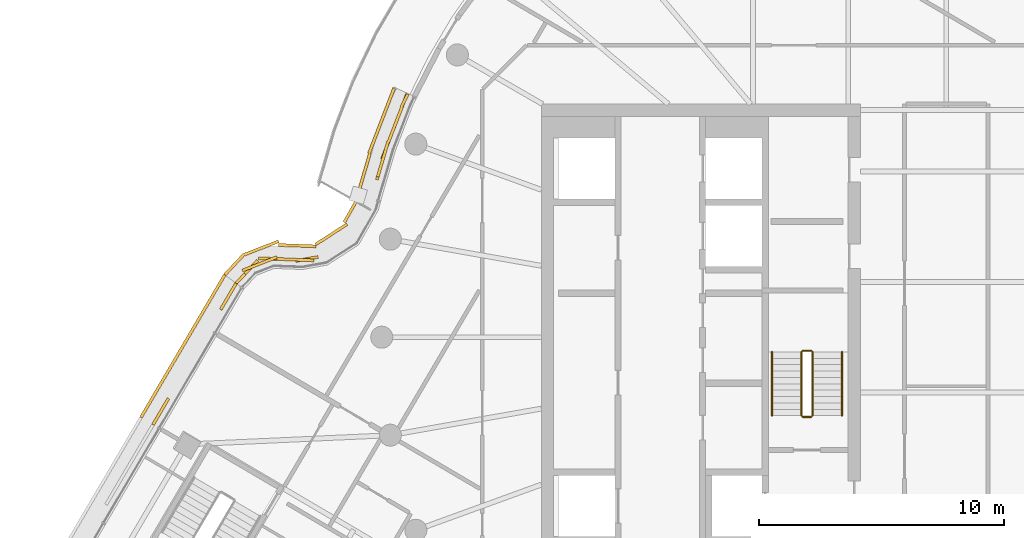
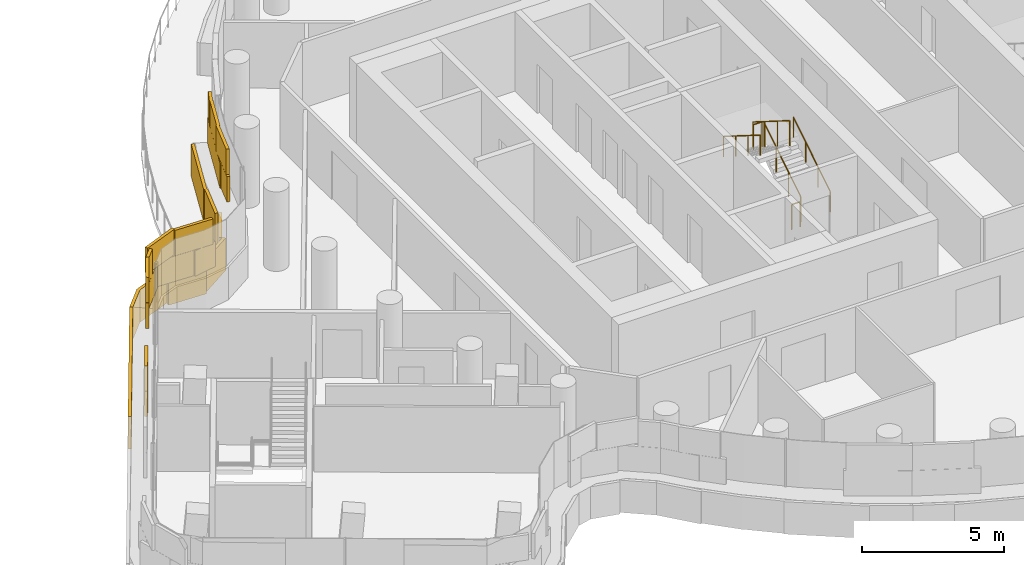
# One storey, part 22 of 26: 6 railings, 2 coverings.
"""IFC4 building model written with IfcOpenShell, lengths in metres."""

import ifcopenshell
import ifcopenshell.guid

model = None  # the IFC model being written
_history = None  # IfcOwnerHistory: only IFC2X3 demands one
_inside = {}  # id of a spatial element -> (the spatial element, [elements in it])
_under = {}  # id of a project, library or spatial element -> (it, [spatial elements below it])
_declared = {}  # id of a project -> (the project, [libraries it declares])
_typed = {}  # id of a type object -> (the type object, [elements of that type])
_made_of = {}  # id of a material, layer set ... -> (it, [elements and type objects made of it])


def new_model(schema):
    """Start an empty IFC model of exactly this schema.

    Asked for "IFC4X3", IfcOpenShell would pick the latest addendum, in which some entities
    have other attributes; the version numbers below select the first issue.
    IFC2X3 requires an IfcOwnerHistory on every rooted entity: one is made here for all.
    """
    global model, _history
    if schema == "IFC4X3":
        model = ifcopenshell.file(schema_version=(4, 3, 0, 0))
    else:
        model = ifcopenshell.file(schema=schema)
    _inside.clear()
    _under.clear()
    _declared.clear()
    _typed.clear()
    _made_of.clear()
    _history = None
    if model.schema == "IFC2X3":
        org = make("IfcOrganization", Name="unknown")
        user = make(
            "IfcPersonAndOrganization",
            ThePerson=make("IfcPerson", FamilyName="unknown"),
            TheOrganization=org,
        )
        app = make(
            "IfcApplication",
            ApplicationDeveloper=org,
            Version="unknown",
            ApplicationFullName="unknown",
            ApplicationIdentifier="unknown",
        )
        _history = make(
            "IfcOwnerHistory",
            OwningUser=user,
            OwningApplication=app,
            ChangeAction="ADDED",
            CreationDate=0,
        )
    return model


def make(cls, **values):
    """One entity of the class cls with the attributes given. An attribute that is None is left unset."""
    return model.create_entity(
        cls, **{name: value for name, value in values.items() if value is not None}
    )


def rooted(cls, **values):
    """An entity with a GlobalId (a new one), such as an element, a storey or a relation."""
    return make(cls, GlobalId=ifcopenshell.guid.new(), OwnerHistory=_history, **values)


def si_unit(unit_type, name, prefix=None):
    """IfcSIUnit, for example si_unit("LENGTHUNIT", "METRE", prefix="MILLI")."""
    return make("IfcSIUnit", UnitType=unit_type, Prefix=prefix, Name=name)


def assignment(units):
    """IfcUnitAssignment: the units of a project."""
    return None if units is None else make("IfcUnitAssignment", Units=units)


def point(xyz):
    """IfcCartesianPoint."""
    return None if xyz is None else make("IfcCartesianPoint", Coordinates=xyz)


def direction(xyz):
    """IfcDirection."""
    return None if xyz is None else make("IfcDirection", DirectionRatios=xyz)


def frame(location, z_axis=None, x_axis=None):
    """IfcAxis2Placement3D, a coordinate frame: its origin and axes. An axis left out is left unset."""
    return make(
        "IfcAxis2Placement3D",
        Location=point(location),
        Axis=direction(z_axis),
        RefDirection=direction(x_axis),
    )


def frame_2d(location, x_axis=None):
    """IfcAxis2Placement2D, a coordinate frame in the plane: its origin and x axis."""
    return make(
        "IfcAxis2Placement2D", Location=point(location), RefDirection=direction(x_axis)
    )


def origin():
    """The frame at (0, 0, 0) with its axes left unset."""
    return frame((0.0, 0.0, 0.0))


def origin_2d():
    """The frame at (0, 0) in the plane with its x axis left unset."""
    return frame_2d((0.0, 0.0))


def place(relative_to, where):
    """IfcLocalPlacement: puts the frame where relative to a parent placement (None: the world)."""
    return make(
        "IfcLocalPlacement", PlacementRelTo=relative_to, RelativePlacement=where
    )


def context(
    kind, dimensions, precision=None, world=None, true_north=None, identifier=None
):
    """IfcGeometricRepresentationContext, for example the 3D "Model" context."""
    return make(
        "IfcGeometricRepresentationContext",
        ContextIdentifier=identifier,
        ContextType=kind,
        CoordinateSpaceDimension=dimensions,
        Precision=precision,
        WorldCoordinateSystem=world,
        TrueNorth=true_north,
    )


def subcontext(parent, identifier, kind, view, scale=None):
    """IfcGeometricRepresentationSubContext, for example "Body" below "Model"."""
    return make(
        "IfcGeometricRepresentationSubContext",
        ContextIdentifier=identifier,
        ContextType=kind,
        ParentContext=parent,
        TargetScale=scale,
        TargetView=view,
    )


def project(units=None, contexts=None):
    """IfcProject with its units and contexts."""
    return rooted(
        "IfcProject",
        Name="project",
        RepresentationContexts=contexts,
        UnitsInContext=assignment(units),
    )


def spatial(cls, under=None, at=None, **own):
    """A site, building, storey or space (cls), placed at a placement, below another one or the project."""
    s = rooted(cls, ObjectPlacement=at, **own)
    if under is not None:
        _under.setdefault(under.id(), (under, []))[1].append(s)
    return s


def profile(cls, at=None, kind="AREA", **sizes):
    """A parametric profile (cls). Its sizes go by their IFC names, for example OverallWidth=200.0."""
    return make(cls, ProfileType=kind, Position=at, **sizes)


def rectangle(**sizes):
    """IfcRectangleProfileDef."""
    return profile("IfcRectangleProfileDef", **sizes)


def circle(**sizes):
    """IfcCircleProfileDef."""
    return profile("IfcCircleProfileDef", **sizes)


def extrude(swept, where, along, depth):
    """IfcExtrudedAreaSolid: the profile swept, set in the frame where, extruded along a direction by depth."""
    return make(
        "IfcExtrudedAreaSolid",
        SweptArea=swept,
        Position=where,
        ExtrudedDirection=direction(along),
        Depth=depth,
    )


def shape(context_of_items, identifier, shape_type, items):
    """IfcShapeRepresentation: the items that make up one representation, for example the "Body"."""
    return make(
        "IfcShapeRepresentation",
        ContextOfItems=context_of_items,
        RepresentationIdentifier=identifier,
        RepresentationType=shape_type,
        Items=items,
    )


def material(Name=None, Category=None):
    """IfcMaterial."""
    return make("IfcMaterial", Name=Name, Category=Category)


def layer(
    of_material, thickness, ventilated=None, Name=None, Category=None, Priority=None
):
    """IfcMaterialLayer: one layer of a wall or slab, of a material (None: an air gap)."""
    return make(
        "IfcMaterialLayer",
        Material=of_material,
        LayerThickness=thickness,
        IsVentilated=ventilated,
        Name=Name,
        Category=Category,
        Priority=Priority,
    )


def layer_set(layers, Name=None):
    """IfcMaterialLayerSet."""
    return make("IfcMaterialLayerSet", MaterialLayers=layers, LayerSetName=Name)


def made_of(thing, what):
    """Note that an element or type object is made of a material, layer set ...; save() writes the relation."""
    if what is not None:
        _made_of.setdefault(what.id(), (what, []))[1].append(thing)
    return thing


def type_object(cls, material=None, **own):
    """A type object (cls), such as IfcWallType, which elements share."""
    return made_of(rooted(cls, **own), material)


def element(
    cls,
    number,
    at=None,
    inside=None,
    cuts=None,
    type_object=None,
    material=None,
    context=None,
    identifier="Body",
    shape_type=None,
    held_by="IfcProductDefinitionShape",
    body=None,
    shapes=None,
    **own,
):
    """One element of the class cls, such as IfcWall. Its Tag is "e" and its number.

    at: its placement. inside: the storey or other place that contains it. cuts: it is an
    opening in that element (IfcRelVoidsElement). A single representation is given by context,
    identifier, shape_type and body (its items); several are given by shapes. held_by: the class
    of the entity that holds the representations. save() writes the other relations.
    """
    e = rooted(cls, Tag="e%d" % number, ObjectPlacement=at, **own)
    if body is not None:
        shapes = [shape(context, identifier, shape_type, body)]
    if shapes is not None:
        e.Representation = make(held_by, Representations=shapes)
    if inside is not None:
        _inside.setdefault(inside.id(), (inside, []))[1].append(e)
    if cuts is not None:
        rooted(
            "IfcRelVoidsElement", RelatingBuildingElement=cuts, RelatedOpeningElement=e
        )
    if type_object is not None:
        _typed.setdefault(type_object.id(), (type_object, []))[1].append(e)
    return made_of(e, material)


def aggregate(whole, parts):
    """IfcRelAggregates: a whole, such as a stair, and the parts it consists of."""
    return rooted("IfcRelAggregates", RelatingObject=whole, RelatedObjects=parts)


def save(model, path):
    """Write the relations noted so far, then the file.

    IfcRelAggregates (storeys below a building ...), IfcRelContainedInSpatialStructure (elements
    in a storey), IfcRelDefinesByType, IfcRelAssociatesMaterial and IfcRelDeclares: one each for
    every whole, place, type object, material and project.
    """
    for whole, parts in _under.values():
        aggregate(whole, parts)
    for where, things in _inside.values():
        rooted(
            "IfcRelContainedInSpatialStructure",
            RelatedElements=things,
            RelatingStructure=where,
        )
    for kind, things in _typed.values():
        rooted("IfcRelDefinesByType", RelatedObjects=things, RelatingType=kind)
    for what, things in _made_of.values():
        rooted("IfcRelAssociatesMaterial", RelatedObjects=things, RelatingMaterial=what)
    for by, libraries in _declared.values():
        rooted("IfcRelDeclares", RelatingContext=by, RelatedDefinitions=libraries)
    model.write(path)


model = new_model("IFC4")

# Units and contexts
model_context = context("Model", 3, precision=1e-05, world=origin(), true_north=direction((0.0, 1.0)))
body_context = subcontext(model_context, "Body", "Model", "MODEL_VIEW")
ifc_project = project(units=[si_unit("LENGTHUNIT", "METRE"), si_unit("AREAUNIT", "SQUARE_METRE"), si_unit("VOLUMEUNIT", "CUBIC_METRE"), si_unit("PLANEANGLEUNIT", "RADIAN"), si_unit("MASSUNIT", "GRAM", prefix="KILO")], contexts=[model_context])

# Site, building, storey
site_placement = place(None, origin())
site = spatial("IfcSite", under=ifc_project, at=site_placement, CompositionType="ELEMENT")
building_placement = place(site_placement, origin())
building = spatial("IfcBuilding", under=site, at=building_placement, Name="Tamarind Cross Interchange Tower", CompositionType="ELEMENT")
storey_placement = place(building_placement, frame((0.0, 0.0, 248.699951171875)))
storey = spatial("IfcBuildingStorey", under=building, at=storey_placement, Name="L63", CompositionType="ELEMENT", Elevation=248.699951171875)

# Railings
ifc_material_1 = material(Name="Stair guard")
railing_type_1 = type_object("IfcRailingType", Name="Stair guard", PredefinedType="GUARDRAIL", material=ifc_material_1)
railing_1_placement = place(storey_placement, frame((-5.449951171875, -3.199951171875, 0.16357421875)))
element("IfcRailing", 1, at=railing_1_placement, inside=storey, type_object=railing_type_1, Name="L63 ST1 stair guard 1", PredefinedType="GUARDRAIL", context=body_context, shape_type="SweptSolid", body=[
    extrude(circle(Radius=0.02392578125, at=origin_2d()), frame((0.0, 0.0, 1.076171875), z_axis=(0.0, 0.846301844409, 0.532703658848), x_axis=(-1.0, 0.0, 0.0)), (0.0, 0.0, 1.0), 3.072021484375),
    extrude(circle(Radius=0.02099609375, at=origin_2d()), origin(), (0.0, 0.0, 1.0), 1.052001953125),
    extrude(circle(Radius=0.02099609375, at=origin_2d()), frame((0.0, 0.86669921875, 0.54541015625)), (0.0, 0.0, 1.0), 1.052001953125),
    extrude(circle(Radius=0.02099609375, at=origin_2d()), frame((0.0, 1.733154296875, 1.091064453125)), (0.0, 0.0, 1.0), 1.052001953125),
    extrude(circle(Radius=0.02099609375, at=origin_2d()), frame((0.0, 2.599853515625, 1.636474609375)), (0.0, 0.0, 1.0), 1.052001953125),
])
railing_2_placement = place(storey_placement, frame((-5.5, -0.550048828125, 1.800048828125)))
element("IfcRailing", 2, at=railing_2_placement, inside=storey, type_object=railing_type_1, Name="L63 ST1 stair guard 2", PredefinedType="GUARDRAIL", context=body_context, shape_type="SweptSolid", body=[
    extrude(circle(Radius=0.02392578125, at=origin_2d()), frame((0.0, 0.0, 1.076171875), z_axis=(-1.0, 0.0, 0.0), x_axis=(0.0, -1.0, 0.0)), (0.0, 0.0, 1.0), 0.35009765625),
    extrude(circle(Radius=0.02099609375, at=origin_2d()), origin(), (0.0, 0.0, 1.0), 1.052001953125),
    extrude(circle(Radius=0.02099609375, at=origin_2d()), frame((-0.35009765625, 0.0, 0.0)), (0.0, 0.0, 1.0), 1.052001953125),
])
railing_3_placement = place(storey_placement, frame((-5.89990234375, -0.60009765625, 1.963623046875)))
element("IfcRailing", 3, at=railing_3_placement, inside=storey, type_object=railing_type_1, Name="L63 ST1 stair guard 3", PredefinedType="GUARDRAIL", context=body_context, shape_type="SweptSolid", body=[
    extrude(circle(Radius=0.02392578125, at=origin_2d()), frame((0.0, 0.0, 1.076171875), z_axis=(0.0, -0.846301844409, 0.532703658848), x_axis=(1.0, 0.0, 0.0)), (0.0, 0.0, 1.0), 3.072021484375),
    extrude(circle(Radius=0.02099609375, at=origin_2d()), origin(), (0.0, 0.0, 1.0), 1.052001953125),
    extrude(circle(Radius=0.02099609375, at=origin_2d()), frame((0.0, -0.86669921875, 0.54541015625)), (0.0, 0.0, 1.0), 1.052001953125),
    extrude(circle(Radius=0.02099609375, at=origin_2d()), frame((0.0, -1.733154296875, 1.091064453125)), (0.0, 0.0, 1.0), 1.052001953125),
    extrude(circle(Radius=0.02099609375, at=origin_2d()), frame((0.0, -2.599853515625, 1.636474609375)), (0.0, 0.0, 1.0), 1.052001953125),
])
railing_4_placement = place(storey_placement, frame((-5.5, -3.25, 0.0)))
element("IfcRailing", 4, at=railing_4_placement, inside=storey, type_object=railing_type_1, Name="L63 ST1 stair guard 4", PredefinedType="GUARDRAIL", context=body_context, shape_type="SweptSolid", body=[
    extrude(circle(Radius=0.02392578125, at=origin_2d()), frame((0.0, 0.0, 1.076171875), z_axis=(-1.0, 0.0, 0.0), x_axis=(0.0, -1.0, 0.0)), (0.0, 0.0, 1.0), 0.35009765625),
    extrude(circle(Radius=0.02099609375, at=origin_2d()), origin(), (0.0, 0.0, 1.0), 1.052001953125),
    extrude(circle(Radius=0.02099609375, at=origin_2d()), frame((-0.35009765625, 0.0, 0.0)), (0.0, 0.0, 1.0), 1.052001953125),
])
ifc_material_2 = material(Name="Stair handrail")
railing_type_2 = type_object("IfcRailingType", Name="Stair handrail", PredefinedType="HANDRAIL", material=ifc_material_2)
railing_5_placement = place(storey_placement, frame((-4.25, -3.199951171875, 0.16357421875)))
element("IfcRailing", 5, at=railing_5_placement, inside=storey, type_object=railing_type_2, Name="L63 ST1 stair handrail 1", PredefinedType="HANDRAIL", context=body_context, shape_type="SweptSolid", body=[
    extrude(circle(Radius=0.02392578125, at=origin_2d()), frame((0.0, 0.0, 0.8759765625), z_axis=(0.0, 0.846301844409, 0.532703658848), x_axis=(-1.0, 0.0, 0.0)), (0.0, 0.0, 1.0), 3.072021484375),
    extrude(circle(Radius=0.02099609375, at=origin_2d()), origin(), (0.0, 0.0, 1.0), 0.851806640625),
    extrude(circle(Radius=0.02099609375, at=origin_2d()), frame((0.0, 0.86669921875, 0.54541015625)), (0.0, 0.0, 1.0), 0.851806640625),
    extrude(circle(Radius=0.02099609375, at=origin_2d()), frame((0.0, 1.733154296875, 1.091064453125)), (0.0, 0.0, 1.0), 0.851806640625),
    extrude(circle(Radius=0.02099609375, at=origin_2d()), frame((0.0, 2.599853515625, 1.636474609375)), (0.0, 0.0, 1.0), 0.851806640625),
])
railing_6_placement = place(storey_placement, frame((-7.10009765625, -0.60009765625, 1.963623046875)))
element("IfcRailing", 6, at=railing_6_placement, inside=storey, type_object=railing_type_2, Name="L63 ST1 stair handrail 2", PredefinedType="HANDRAIL", context=body_context, shape_type="SweptSolid", body=[
    extrude(circle(Radius=0.02392578125, at=origin_2d()), frame((0.0, 0.0, 0.8759765625), z_axis=(0.0, -0.846301844409, 0.532703658848), x_axis=(1.0, 0.0, 0.0)), (0.0, 0.0, 1.0), 3.072021484375),
    extrude(circle(Radius=0.02099609375, at=origin_2d()), origin(), (0.0, 0.0, 1.0), 0.851806640625),
    extrude(circle(Radius=0.02099609375, at=origin_2d()), frame((0.0, -0.86669921875, 0.54541015625)), (0.0, 0.0, 1.0), 0.851806640625),
    extrude(circle(Radius=0.02099609375, at=origin_2d()), frame((0.0, -1.733154296875, 1.091064453125)), (0.0, 0.0, 1.0), 0.851806640625),
    extrude(circle(Radius=0.02099609375, at=origin_2d()), frame((0.0, -2.599853515625, 1.636474609375)), (0.0, 0.0, 1.0), 0.851806640625),
])

# Coverings
ifc_material_3 = material(Name="Terracotta", Category="masonry")
ifc_layer = layer(ifc_material_3, 0.1201171875)
ifc_layer_set = layer_set([ifc_layer], Name="Terracotta")
covering_type = type_object("IfcCoveringType", Name="Terracotta baguette screen unit", PredefinedType="MOLDING", material=ifc_layer_set)
covering_1_placement = place(storey_placement, origin())
element("IfcCovering", 7, at=covering_1_placement, inside=storey, type_object=covering_type, Name="SCR-L63-04-02", PredefinedType="MOLDING", context=body_context, shape_type="SweptSolid", body=[
    extrude(rectangle(XDim=1.337646484375, YDim=0.1201171875, at=origin_2d()), frame((-22.209228515625, 9.293212890625, 1.40380859375), z_axis=(0.0, 0.0, 1.0), x_axis=(-0.359495435512, -0.933146843667, 0.0)), (0.0, 0.0, 1.0), 1.092041015625),
    extrude(rectangle(XDim=1.52001953125, YDim=0.1201171875, at=origin_2d()), frame((-22.717529296875, 7.973876953125, 1.40380859375), z_axis=(0.0, 0.0, 1.0), x_axis=(-0.359495435512, -0.933146843667, 0.0)), (0.0, 0.0, 1.0), 1.092041015625),
    extrude(rectangle(XDim=0.884033203125, YDim=0.1201171875, at=origin_2d()), frame((-23.072509765625, 6.842041015625, 1.40380859375), z_axis=(0.0, 0.0, 1.0), x_axis=(-0.281208920763, -0.95964657186, 0.0)), (0.0, 0.0, 1.0), 1.092041015625),
    extrude(rectangle(XDim=0.935791015625, YDim=0.1201171875, at=origin_2d()), frame((-26.05126953125, 3.1845703125, 1.40380859375), z_axis=(0.0, 0.0, 1.0), x_axis=(-0.983946736007, -0.17846237895, 0.0)), (0.0, 0.0, 1.0), 1.092041015625),
    extrude(rectangle(XDim=1.52001953125, YDim=0.1201171875, at=origin_2d()), frame((-27.260009765625, 3.186767578125, 1.40380859375), z_axis=(0.0, 0.0, 1.0), x_axis=(-0.999285630595, 0.037791910328, 0.0)), (0.0, 0.0, 1.0), 1.092041015625),
    extrude(rectangle(XDim=1.285888671875, YDim=0.1201171875, at=origin_2d()), frame((-28.498046875, 2.65869140625, 1.40380859375), z_axis=(0.0, 0.0, 1.0), x_axis=(-0.684341101502, -0.729162023692, 0.0)), (0.0, 0.0, 1.0), 1.092041015625),
    extrude(rectangle(XDim=0.587646484375, YDim=0.1201171875, at=origin_2d()), frame((-22.0693359375, 9.640869140625, 2.50390625), z_axis=(0.0, 0.0, 1.0), x_axis=(-0.435326231914, -0.900272776334, 0.0)), (0.0, 0.0, 1.0), 1.092041015625),
    extrude(rectangle(XDim=1.52001953125, YDim=0.1201171875, at=origin_2d()), frame((-22.447998046875, 8.673828125, 2.50390625), z_axis=(0.0, 0.0, 1.0), x_axis=(-0.359495435512, -0.933146843667, 0.0)), (0.0, 0.0, 1.0), 1.092041015625),
    extrude(rectangle(XDim=1.52001953125, YDim=0.1201171875, at=origin_2d()), frame((-22.94970703125, 7.261474609375, 2.50390625), z_axis=(0.0, 0.0, 1.0), x_axis=(-0.281208920763, -0.95964657186, 0.0)), (0.0, 0.0, 1.0), 1.092041015625),
    extrude(rectangle(XDim=1.52001953125, YDim=0.1201171875, at=origin_2d()), frame((-26.5107421875, 3.158447265625, 2.50390625), z_axis=(0.0, 0.0, 1.0), x_axis=(-0.999285630595, 0.037791910328, 0.0)), (0.0, 0.0, 1.0), 1.092041015625),
    extrude(rectangle(XDim=1.52001953125, YDim=0.1201171875, at=origin_2d()), frame((-27.9716796875, 2.9912109375, 2.50390625), z_axis=(0.0, 0.0, 1.0), x_axis=(-0.931428711868, -0.363923830916, 0.0)), (0.0, 0.0, 1.0), 1.092041015625),
    extrude(rectangle(XDim=0.535888671875, YDim=0.1201171875, at=origin_2d()), frame((-28.7548828125, 2.38525390625, 2.50390625), z_axis=(0.0, 0.0, 1.0), x_axis=(-0.684341101502, -0.729162023692, 0.0)), (0.0, 0.0, 1.0), 1.092041015625),
    extrude(rectangle(XDim=1.351806640625, YDim=0.1201171875, at=origin_2d()), frame((-22.73779296875, 9.518310546875, 0.00390625), z_axis=(0.0, 0.0, 1.0), x_axis=(-0.359495435512, -0.933146843667, 0.0)), (0.0, 0.0, 1.0), 1.39208984375),
    extrude(rectangle(XDim=1.52001953125, YDim=0.1201171875, at=origin_2d()), frame((-23.246826171875, 8.197265625, 0.00390625), z_axis=(0.0, 0.0, 1.0), x_axis=(-0.359495435512, -0.933146843667, 0.0)), (0.0, 0.0, 1.0), 1.39208984375),
    extrude(rectangle(XDim=1.52001953125, YDim=0.1201171875, at=origin_2d()), frame((-23.69287109375, 6.765869140625, 0.00390625), z_axis=(0.0, 0.0, 1.0), x_axis=(-0.281208920763, -0.95964657186, 0.0)), (0.0, 0.0, 1.0), 1.39208984375),
    extrude(rectangle(XDim=1.52001953125, YDim=0.1201171875, at=origin_2d()), frame((-24.15234375, 5.343994140625, 0.00390625), z_axis=(0.0, 0.0, 1.0), x_axis=(-0.493266924885, -0.869878003409, 0.0)), (0.0, 0.0, 1.0), 1.39208984375),
    extrude(rectangle(XDim=1.52001953125, YDim=0.1201171875, at=origin_2d()), frame((-25.054443359375, 4.192138671875, 0.00390625), z_axis=(0.0, 0.0, 1.0), x_axis=(-0.839267033683, -0.543719455393, 0.0)), (0.0, 0.0, 1.0), 1.39208984375),
    extrude(rectangle(XDim=1.52001953125, YDim=0.1201171875, at=origin_2d()), frame((-26.44287109375, 3.730224609375, 0.00390625), z_axis=(0.0, 0.0, 1.0), x_axis=(-0.999285630595, 0.037791910328, 0.0)), (0.0, 0.0, 1.0), 1.39208984375),
    extrude(rectangle(XDim=1.52001953125, YDim=0.1201171875, at=origin_2d()), frame((-27.915283203125, 3.62939453125, 0.00390625), z_axis=(0.0, 0.0, 1.0), x_axis=(-0.931428711868, -0.363923830916, 0.0)), (0.0, 0.0, 1.0), 1.39208984375),
    extrude(rectangle(XDim=1.14453125, YDim=0.1201171875, at=origin_2d()), frame((-29.005615234375, 2.95703125, 0.00390625), z_axis=(0.0, 0.0, 1.0), x_axis=(-0.684341101502, -0.729162023692, 0.0)), (0.0, 0.0, 1.0), 1.39208984375),
])
covering_2_placement = place(storey_placement, origin())
element("IfcCovering", 8, at=covering_2_placement, inside=storey, type_object=covering_type, Name="SCR-L63-05-00", PredefinedType="MOLDING", context=body_context, shape_type="SweptSolid", body=[
    extrude(rectangle(XDim=0.760009765625, YDim=0.1201171875, at=origin_2d()), frame((-29.124755859375, 1.870361328125, 1.40380859375), z_axis=(0.0, 0.0, 1.0), x_axis=(-0.506732089945, -0.862103583695, 0.0)), (0.0, 0.0, 1.0), 1.092041015625),
    extrude(rectangle(XDim=0.498291015625, YDim=0.1201171875, at=origin_2d()), frame((-29.4384765625, 1.33642578125, 1.40380859375), z_axis=(0.0, 0.0, 1.0), x_axis=(-0.506732089945, -0.862103583695, 0.0)), (0.0, 0.0, 1.0), 1.092041015625),
    extrude(rectangle(XDim=1.23828125, YDim=0.1201171875, at=origin_2d()), frame((-32.004150390625, -3.028564453125, 1.40380859375), z_axis=(0.0, 0.0, 1.0), x_axis=(-0.506732089945, -0.862103583695, 0.0)), (0.0, 0.0, 1.0), 1.092041015625),
    extrude(rectangle(XDim=1.23828125, YDim=0.1201171875, at=origin_2d()), frame((-29.24853515625, 1.659912109375, 2.50390625), z_axis=(0.0, 0.0, 1.0), x_axis=(-0.506732089945, -0.862103583695, 0.0)), (0.0, 0.0, 1.0), 1.092041015625),
    extrude(rectangle(XDim=0.57177734375, YDim=0.1201171875, at=origin_2d()), frame((-31.832763671875, -2.73681640625, 2.50390625), z_axis=(0.0, 0.0, 1.0), x_axis=(-0.506732089945, -0.862103583695, 0.0)), (0.0, 0.0, 1.0), 1.092041015625),
    extrude(rectangle(XDim=0.6865234375, YDim=0.1201171875, at=origin_2d()), frame((-32.146484375, -3.270751953125, 2.50390625), z_axis=(0.0, 0.0, 1.0), x_axis=(-0.506732089945, -0.862103583695, 0.0)), (0.0, 0.0, 1.0), 1.092041015625),
    extrude(rectangle(XDim=0.760009765625, YDim=0.1201171875, at=origin_2d()), frame((-29.589599609375, 2.212158203125, 0.00390625), z_axis=(0.0, 0.0, 1.0), x_axis=(-0.506732089945, -0.862103583695, 0.0)), (0.0, 0.0, 1.0), 1.39208984375),
    extrude(rectangle(XDim=1.52001953125, YDim=0.1201171875, at=origin_2d()), frame((-30.1572265625, 1.24658203125, 0.00390625), z_axis=(0.0, 0.0, 1.0), x_axis=(-0.506732089945, -0.862103583695, 0.0)), (0.0, 0.0, 1.0), 1.39208984375),
    extrude(rectangle(XDim=1.52001953125, YDim=0.1201171875, at=origin_2d()), frame((-30.917236328125, -0.046630859375, 0.00390625), z_axis=(0.0, 0.0, 1.0), x_axis=(-0.506732089945, -0.862103583695, 0.0)), (0.0, 0.0, 1.0), 1.39208984375),
    extrude(rectangle(XDim=1.52001953125, YDim=0.1201171875, at=origin_2d()), frame((-31.677490234375, -1.33984375, 0.00390625), z_axis=(0.0, 0.0, 1.0), x_axis=(-0.506732089945, -0.862103583695, 0.0)), (0.0, 0.0, 1.0), 1.39208984375),
    extrude(rectangle(XDim=1.498046875, YDim=0.1201171875, at=origin_2d()), frame((-32.431884765625, -2.62353515625, 0.00390625), z_axis=(0.0, 0.0, 1.0), x_axis=(-0.506732089945, -0.862103583695, 0.0)), (0.0, 0.0, 1.0), 1.39208984375),
])

save(model, "model.ifc")
